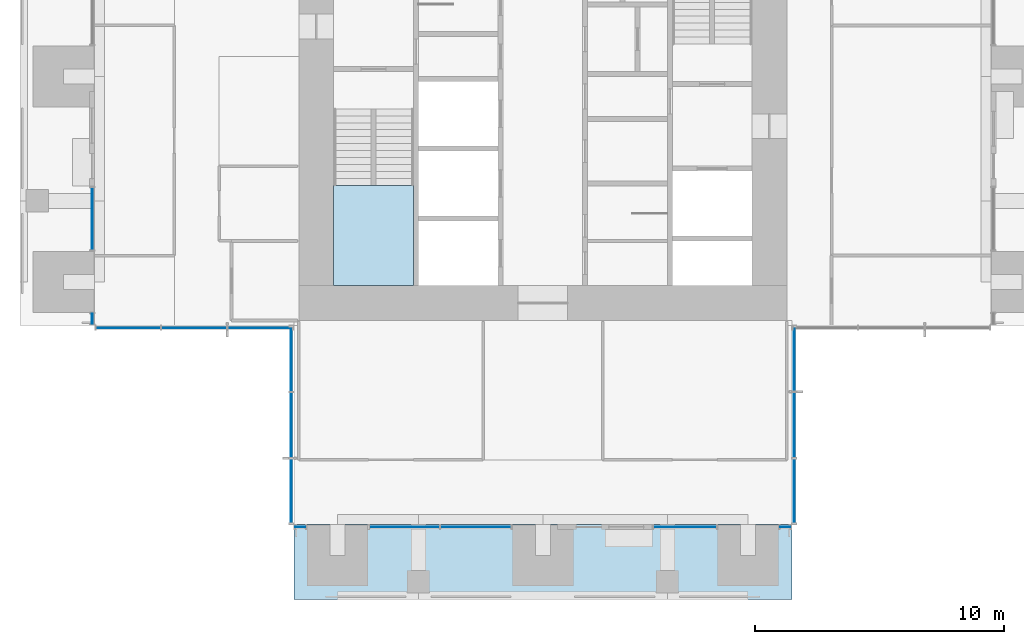
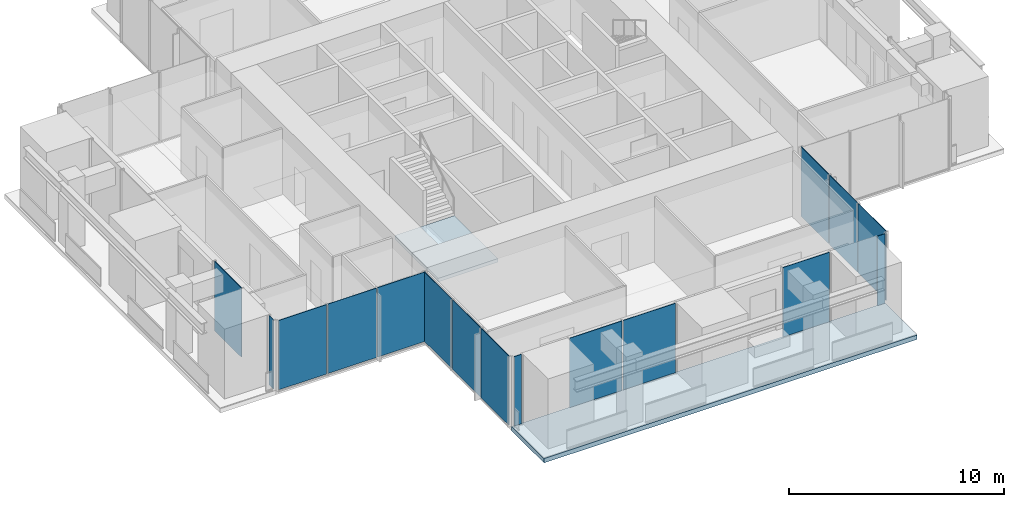
# One storey, part 7 of 17: 16 plates, 2 slabs, 10 elements without a shape of their own.
"""IFC4 building model written with IfcOpenShell, lengths in metres."""

from ifc_helpers import new_model, si_unit, direction, frame, origin, origin_2d, place, context, subcontext, project, spatial, polyline, rectangle, outline, extrude, material, layer, layer_set, type_object, element, aggregate, save


model = new_model("IFC4")

# Units and contexts
model_context = context("Model", 3, precision=1e-05, world=origin(), true_north=direction((0.0, 1.0)))
body_context = subcontext(model_context, "Body", "Model", "MODEL_VIEW")
ifc_project = project(units=[si_unit("LENGTHUNIT", "METRE"), si_unit("AREAUNIT", "SQUARE_METRE"), si_unit("VOLUMEUNIT", "CUBIC_METRE"), si_unit("PLANEANGLEUNIT", "RADIAN"), si_unit("MASSUNIT", "GRAM", prefix="KILO")], contexts=[model_context])

# Site, building, storey
site_placement = place(None, origin())
site = spatial("IfcSite", under=ifc_project, at=site_placement, CompositionType="ELEMENT")
building_placement = place(site_placement, origin())
building = spatial("IfcBuilding", under=site, at=building_placement, Name="Svetlomir Tower", CompositionType="ELEMENT")
storey_placement = place(building_placement, frame((0.0, 0.0, 210.5)))
storey = spatial("IfcBuildingStorey", under=building, at=storey_placement, Name="L50", CompositionType="ELEMENT", Elevation=210.5)

# Curtain wall, plate
ifc_material_1 = material(Name="Bronze anodised aluminium curtain wall", Category="aluminium")
curtain_wall_type = type_object("IfcCurtainWallType", Name="CURTAIN WALL CW1 TOWER OFFICE", PredefinedType="NOTDEFINED", material=ifc_material_1)
curtain_wall_1_placement = place(storey_placement, origin())
curtain_wall_1 = element("IfcCurtainWall", 1, at=curtain_wall_1_placement, inside=storey, type_object=curtain_wall_type, Name="Curtain wall CW1 L50", PredefinedType="NOTDEFINED")
ifc_material_2 = material(Name="Tinted double glazed unit", Category="glass")
ifc_layer_1 = layer(ifc_material_2, 0.031982421875)
ifc_layer_set_1 = layer_set([ifc_layer_1], Name="Tinted double glazed unit")
plate_type = type_object("IfcPlateType", Name="CW1 GLAZED PANEL 32", PredefinedType="CURTAIN_PANEL", material=ifc_layer_set_1)
plate_1_placement = place(storey_placement, frame((11.262451171875, 2.89990234375, 0.06494140625), z_axis=(0.0, 0.0, 1.0), x_axis=(1.0, 0.0, 0.0)))
plate_1 = element("IfcPlate", 2, at=plate_1_placement, type_object=plate_type, Name="CW1 panel 1.1", PredefinedType="CURTAIN_PANEL", context=body_context, shape_type="SweptSolid", body=[
    extrude(rectangle(XDim=0.39501953125, YDim=0.031982421875, at=origin_2d()), origin(), (0.0, 0.0, 1.0), 3.93505859375),
])
aggregate(curtain_wall_1, [plate_1])

# Curtain wall, plates
curtain_wall_2_placement = place(storey_placement, origin())
curtain_wall_2 = element("IfcCurtainWall", 3, at=curtain_wall_2_placement, inside=storey, type_object=curtain_wall_type, Name="Curtain wall CW1 L50", PredefinedType="NOTDEFINED")
plate_2_placement = place(storey_placement, frame((15.441162109375, 2.89990234375, 0.06494140625), z_axis=(0.0, 0.0, 1.0), x_axis=(1.0, 0.0, 0.0)))
plate_2 = element("IfcPlate", 4, at=plate_2_placement, type_object=plate_type, Name="CW1 panel 1.1", PredefinedType="CURTAIN_PANEL", context=body_context, shape_type="SweptSolid", body=[
    extrude(rectangle(XDim=2.802490234375, YDim=0.031982421875, at=origin_2d()), origin(), (0.0, 0.0, 1.0), 3.93505859375),
])
plate_3_placement = place(storey_placement, frame((18.308837890625, 2.89990234375, 0.06494140625), z_axis=(0.0, 0.0, 1.0), x_axis=(1.0, 0.0, 0.0)))
plate_3 = element("IfcPlate", 5, at=plate_3_placement, type_object=plate_type, Name="CW1 panel 2.1", PredefinedType="CURTAIN_PANEL", context=body_context, shape_type="SweptSolid", body=[
    extrude(rectangle(XDim=2.802490234375, YDim=0.031982421875, at=origin_2d()), origin(), (0.0, 0.0, 1.0), 3.93505859375),
])
aggregate(curtain_wall_2, [plate_2, plate_3])

# Curtain wall, plate
curtain_wall_3_placement = place(storey_placement, origin())
curtain_wall_3 = element("IfcCurtainWall", 6, at=curtain_wall_3_placement, inside=storey, type_object=curtain_wall_type, Name="Curtain wall CW1 L50", PredefinedType="NOTDEFINED")
plate_4_placement = place(storey_placement, frame((26.71240234375, 2.89990234375, 0.06494140625), z_axis=(0.0, 0.0, 1.0), x_axis=(1.0, 0.0, 0.0)))
plate_4 = element("IfcPlate", 7, at=plate_4_placement, type_object=plate_type, Name="CW1 panel 1.1", PredefinedType="CURTAIN_PANEL", context=body_context, shape_type="SweptSolid", body=[
    extrude(rectangle(XDim=2.4951171875, YDim=0.031982421875, at=origin_2d()), origin(), (0.0, 0.0, 1.0), 3.93505859375),
])
aggregate(curtain_wall_3, [plate_4])

curtain_wall_4_placement = place(storey_placement, origin())
curtain_wall_4 = element("IfcCurtainWall", 8, at=curtain_wall_4_placement, inside=storey, type_object=curtain_wall_type, Name="Curtain wall CW1 L50", PredefinedType="NOTDEFINED")
plate_5_placement = place(storey_placement, frame((30.737548828125, 2.89990234375, 0.06494140625), z_axis=(0.0, 0.0, 1.0), x_axis=(1.0, 0.0, 0.0)))
plate_5 = element("IfcPlate", 9, at=plate_5_placement, type_object=plate_type, Name="CW1 panel 1.1", PredefinedType="CURTAIN_PANEL", context=body_context, shape_type="SweptSolid", body=[
    extrude(rectangle(XDim=0.39501953125, YDim=0.031982421875, at=origin_2d()), origin(), (0.0, 0.0, 1.0), 3.93505859375),
])
aggregate(curtain_wall_4, [plate_5])

# Curtain wall, plates
curtain_wall_5_placement = place(storey_placement, origin())
curtain_wall_5 = element("IfcCurtainWall", 10, at=curtain_wall_5_placement, inside=storey, type_object=curtain_wall_type, Name="Curtain wall CW1 L50", PredefinedType="NOTDEFINED")
plate_6_placement = place(storey_placement, frame((31.10009765625, 4.349609375, 0.06494140625), z_axis=(0.0, 0.0, 1.0), x_axis=(0.0, 1.0, 0.0)))
plate_6 = element("IfcPlate", 11, at=plate_6_placement, type_object=plate_type, Name="CW1 panel 1.1", PredefinedType="CURTAIN_PANEL", context=body_context, shape_type="SweptSolid", body=[
    extrude(rectangle(XDim=2.569091796875, YDim=0.031982421875, at=origin_2d()), origin(), (0.0, 0.0, 1.0), 3.93505859375),
])
plate_7_placement = place(storey_placement, frame((31.10009765625, 7.0, 0.06494140625), z_axis=(0.0, 0.0, 1.0), x_axis=(0.0, 1.0, 0.0)))
plate_7 = element("IfcPlate", 12, at=plate_7_placement, type_object=plate_type, Name="CW1 panel 2.1", PredefinedType="CURTAIN_PANEL", context=body_context, shape_type="SweptSolid", body=[
    extrude(rectangle(XDim=2.6015625, YDim=0.031982421875, at=origin_2d()), origin(), (0.0, 0.0, 1.0), 3.93505859375),
])
plate_8_placement = place(storey_placement, frame((31.10009765625, 9.650390625, 0.06494140625), z_axis=(0.0, 0.0, 1.0), x_axis=(0.0, 1.0, 0.0)))
plate_8 = element("IfcPlate", 13, at=plate_8_placement, type_object=plate_type, Name="CW1 panel 3.1", PredefinedType="CURTAIN_PANEL", context=body_context, shape_type="SweptSolid", body=[
    extrude(rectangle(XDim=2.569091796875, YDim=0.031982421875, at=origin_2d()), origin(), (0.0, 0.0, 1.0), 3.93505859375),
])
aggregate(curtain_wall_5, [plate_6, plate_7, plate_8])

# Curtain wall, plate
curtain_wall_6_placement = place(storey_placement, origin())
curtain_wall_6 = element("IfcCurtainWall", 14, at=curtain_wall_6_placement, inside=storey, type_object=curtain_wall_type, Name="Curtain wall CW1 L50", PredefinedType="NOTDEFINED")
plate_9_placement = place(storey_placement, frame((2.89990234375, 15.28759765625, 0.06494140625), z_axis=(0.0, 0.0, 1.0), x_axis=(0.0, -1.0, 0.0)))
plate_9 = element("IfcPlate", 15, at=plate_9_placement, type_object=plate_type, Name="CW1 panel 1.1", PredefinedType="CURTAIN_PANEL", context=body_context, shape_type="SweptSolid", body=[
    extrude(rectangle(XDim=2.4951171875, YDim=0.031982421875, at=origin_2d()), origin(), (0.0, 0.0, 1.0), 3.93505859375),
])
aggregate(curtain_wall_6, [plate_9])

curtain_wall_7_placement = place(storey_placement, origin())
curtain_wall_7 = element("IfcCurtainWall", 16, at=curtain_wall_7_placement, inside=storey, type_object=curtain_wall_type, Name="Curtain wall CW1 L50", PredefinedType="NOTDEFINED")
plate_10_placement = place(storey_placement, frame((2.89990234375, 11.262451171875, 0.06494140625), z_axis=(0.0, 0.0, 1.0), x_axis=(0.0, -1.0, 0.0)))
plate_10 = element("IfcPlate", 17, at=plate_10_placement, type_object=plate_type, Name="CW1 panel 1.1", PredefinedType="CURTAIN_PANEL", context=body_context, shape_type="SweptSolid", body=[
    extrude(rectangle(XDim=0.39501953125, YDim=0.031982421875, at=origin_2d()), origin(), (0.0, 0.0, 1.0), 3.93505859375),
])
aggregate(curtain_wall_7, [plate_10])

# Curtain wall, plates
curtain_wall_8_placement = place(storey_placement, origin())
curtain_wall_8 = element("IfcCurtainWall", 18, at=curtain_wall_8_placement, inside=storey, type_object=curtain_wall_type, Name="Curtain wall CW1 L50", PredefinedType="NOTDEFINED")
plate_11_placement = place(storey_placement, frame((4.349609375, 10.89990234375, 0.06494140625), z_axis=(0.0, 0.0, 1.0), x_axis=(1.0, 0.0, 0.0)))
plate_11 = element("IfcPlate", 19, at=plate_11_placement, type_object=plate_type, Name="CW1 panel 1.1", PredefinedType="CURTAIN_PANEL", context=body_context, shape_type="SweptSolid", body=[
    extrude(rectangle(XDim=2.569091796875, YDim=0.031982421875, at=origin_2d()), origin(), (0.0, 0.0, 1.0), 3.93505859375),
])
plate_12_placement = place(storey_placement, frame((7.0, 10.89990234375, 0.06494140625), z_axis=(0.0, 0.0, 1.0), x_axis=(1.0, 0.0, 0.0)))
plate_12 = element("IfcPlate", 20, at=plate_12_placement, type_object=plate_type, Name="CW1 panel 2.1", PredefinedType="CURTAIN_PANEL", context=body_context, shape_type="SweptSolid", body=[
    extrude(rectangle(XDim=2.6015625, YDim=0.031982421875, at=origin_2d()), origin(), (0.0, 0.0, 1.0), 3.93505859375),
])
plate_13_placement = place(storey_placement, frame((9.650390625, 10.89990234375, 0.06494140625), z_axis=(0.0, 0.0, 1.0), x_axis=(1.0, 0.0, 0.0)))
plate_13 = element("IfcPlate", 21, at=plate_13_placement, type_object=plate_type, Name="CW1 panel 3.1", PredefinedType="CURTAIN_PANEL", context=body_context, shape_type="SweptSolid", body=[
    extrude(rectangle(XDim=2.569091796875, YDim=0.031982421875, at=origin_2d()), origin(), (0.0, 0.0, 1.0), 3.93505859375),
])
aggregate(curtain_wall_8, [plate_11, plate_12, plate_13])

curtain_wall_9_placement = place(storey_placement, origin())
curtain_wall_9 = element("IfcCurtainWall", 22, at=curtain_wall_9_placement, inside=storey, type_object=curtain_wall_type, Name="Curtain wall CW1 L50", PredefinedType="NOTDEFINED")
plate_14_placement = place(storey_placement, frame((10.89990234375, 9.650390625, 0.06494140625), z_axis=(0.0, 0.0, 1.0), x_axis=(0.0, -1.0, 0.0)))
plate_14 = element("IfcPlate", 23, at=plate_14_placement, type_object=plate_type, Name="CW1 panel 1.1", PredefinedType="CURTAIN_PANEL", context=body_context, shape_type="SweptSolid", body=[
    extrude(rectangle(XDim=2.569091796875, YDim=0.031982421875, at=origin_2d()), origin(), (0.0, 0.0, 1.0), 3.93505859375),
])
plate_15_placement = place(storey_placement, frame((10.89990234375, 7.0, 0.06494140625), z_axis=(0.0, 0.0, 1.0), x_axis=(0.0, -1.0, 0.0)))
plate_15 = element("IfcPlate", 24, at=plate_15_placement, type_object=plate_type, Name="CW1 panel 2.1", PredefinedType="CURTAIN_PANEL", context=body_context, shape_type="SweptSolid", body=[
    extrude(rectangle(XDim=2.6015625, YDim=0.031982421875, at=origin_2d()), origin(), (0.0, 0.0, 1.0), 3.93505859375),
])
plate_16_placement = place(storey_placement, frame((10.89990234375, 4.349609375, 0.06494140625), z_axis=(0.0, 0.0, 1.0), x_axis=(0.0, -1.0, 0.0)))
plate_16 = element("IfcPlate", 25, at=plate_16_placement, type_object=plate_type, Name="CW1 panel 3.1", PredefinedType="CURTAIN_PANEL", context=body_context, shape_type="SweptSolid", body=[
    extrude(rectangle(XDim=2.569091796875, YDim=0.031982421875, at=origin_2d()), origin(), (0.0, 0.0, 1.0), 3.93505859375),
])
aggregate(curtain_wall_9, [plate_14, plate_15, plate_16])

# Slab
ifc_material_3 = material(Name="Concrete C60/75", Category="concrete")
ifc_layer_2 = layer(ifc_material_3, 0.25)
ifc_layer_set_2 = layer_set([ifc_layer_2], Name="Concrete C60/75")
slab_type_1 = type_object("IfcSlabType", Name="PLANTED LOGGIA SLAB 250", PredefinedType="FLOOR", material=ifc_layer_set_2)
slab_1_placement = place(storey_placement, frame((0.0, 0.0, -0.25)))
element("IfcSlab", 26, at=slab_1_placement, inside=storey, type_object=slab_type_1, Name="L50 S planted loggia", PredefinedType="FLOOR", context=body_context, shape_type="SweptSolid", body=[
    extrude(outline(polyline([(11.0, 0.0), (31.0, 0.0), (31.0, 3.0), (11.0, 3.0), (11.0, 0.0)])), origin(), (0.0, 0.0, 1.0), 0.25),
])

# Stair, slab
ifc_material_4 = material(Name="Concrete C60/75", Category="concrete")
stair_type = type_object("IfcStairType", Name="EXIT STAIR 3200 RISE 4000", PredefinedType="HALF_TURN_STAIR", material=ifc_material_4)
stair_placement = place(storey_placement, origin())
stair = element("IfcStair", 27, at=stair_placement, inside=storey, type_object=stair_type, Name="Stair S1 L50 to L51", PredefinedType="HALF_TURN_STAIR")
ifc_material_5 = material(Name="Concrete C60/75", Category="concrete")
ifc_layer_3 = layer(ifc_material_5, 0.199951171875)
ifc_layer_set_3 = layer_set([ifc_layer_3], Name="Concrete C60/75")
slab_type_2 = type_object("IfcSlabType", Name="STAIR LANDING 200", PredefinedType="LANDING", material=ifc_layer_set_3)
slab_2_placement = place(storey_placement, frame((0.0, 0.0, 1.800048828125)))
slab_2 = element("IfcSlab", 28, at=slab_2_placement, type_object=slab_type_2, Name="S1 landing 1", PredefinedType="LANDING", context=body_context, shape_type="SweptSolid", body=[
    extrude(outline(polyline([(12.60009765625, 12.60009765625), (15.800048828125, 12.60009765625), (15.800048828125, 16.6201171875), (12.60009765625, 16.6201171875), (12.60009765625, 12.60009765625)])), origin(), (0.0, 0.0, 1.0), 0.199951171875),
])
aggregate(stair, [slab_2])

save(model, "model.ifc")
